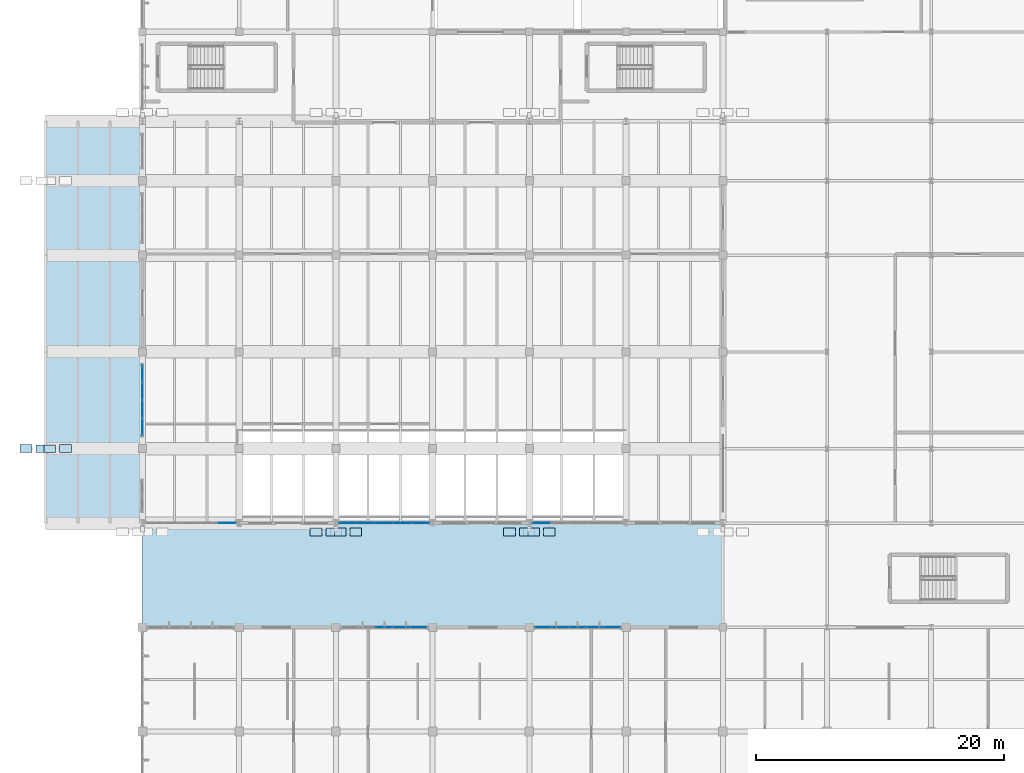
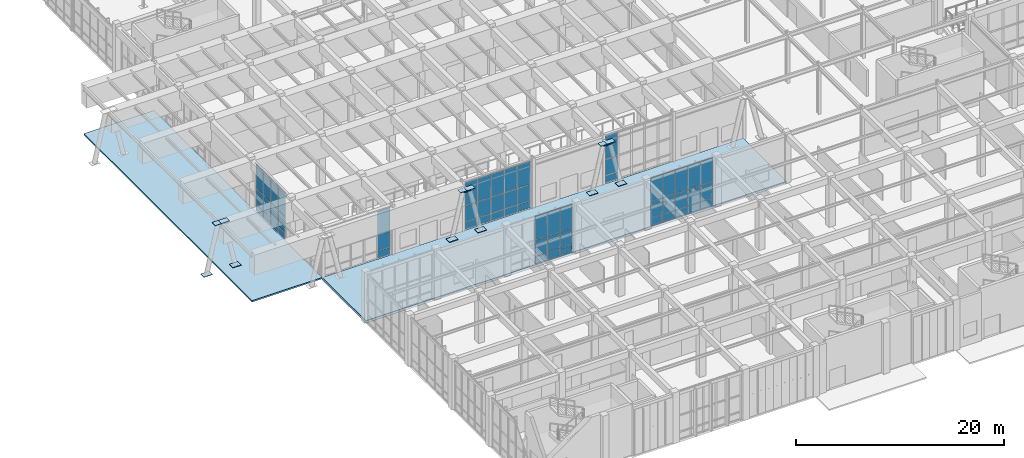
# One storey, part 59 of 110: 71 plates, 2 slabs, 6 elements without a shape of their own.
"""IFC4 building model written with IfcOpenShell, lengths in metres."""

import ifcopenshell
import ifcopenshell.guid

model = None  # the IFC model being written
_history = None  # IfcOwnerHistory: only IFC2X3 demands one
_inside = {}  # id of a spatial element -> (the spatial element, [elements in it])
_under = {}  # id of a project, library or spatial element -> (it, [spatial elements below it])
_declared = {}  # id of a project -> (the project, [libraries it declares])
_typed = {}  # id of a type object -> (the type object, [elements of that type])
_made_of = {}  # id of a material, layer set ... -> (it, [elements and type objects made of it])


def new_model(schema):
    """Start an empty IFC model of exactly this schema.

    Asked for "IFC4X3", IfcOpenShell would pick the latest addendum, in which some entities
    have other attributes; the version numbers below select the first issue.
    IFC2X3 requires an IfcOwnerHistory on every rooted entity: one is made here for all.
    """
    global model, _history
    if schema == "IFC4X3":
        model = ifcopenshell.file(schema_version=(4, 3, 0, 0))
    else:
        model = ifcopenshell.file(schema=schema)
    _inside.clear()
    _under.clear()
    _declared.clear()
    _typed.clear()
    _made_of.clear()
    _history = None
    if model.schema == "IFC2X3":
        org = make("IfcOrganization", Name="unknown")
        user = make(
            "IfcPersonAndOrganization",
            ThePerson=make("IfcPerson", FamilyName="unknown"),
            TheOrganization=org,
        )
        app = make(
            "IfcApplication",
            ApplicationDeveloper=org,
            Version="unknown",
            ApplicationFullName="unknown",
            ApplicationIdentifier="unknown",
        )
        _history = make(
            "IfcOwnerHistory",
            OwningUser=user,
            OwningApplication=app,
            ChangeAction="ADDED",
            CreationDate=0,
        )
    return model


def make(cls, **values):
    """One entity of the class cls with the attributes given. An attribute that is None is left unset."""
    return model.create_entity(
        cls, **{name: value for name, value in values.items() if value is not None}
    )


def rooted(cls, **values):
    """An entity with a GlobalId (a new one), such as an element, a storey or a relation."""
    return make(cls, GlobalId=ifcopenshell.guid.new(), OwnerHistory=_history, **values)


def si_unit(unit_type, name, prefix=None):
    """IfcSIUnit, for example si_unit("LENGTHUNIT", "METRE", prefix="MILLI")."""
    return make("IfcSIUnit", UnitType=unit_type, Prefix=prefix, Name=name)


def assignment(units):
    """IfcUnitAssignment: the units of a project."""
    return None if units is None else make("IfcUnitAssignment", Units=units)


def point(xyz):
    """IfcCartesianPoint."""
    return None if xyz is None else make("IfcCartesianPoint", Coordinates=xyz)


def direction(xyz):
    """IfcDirection."""
    return None if xyz is None else make("IfcDirection", DirectionRatios=xyz)


def frame(location, z_axis=None, x_axis=None):
    """IfcAxis2Placement3D, a coordinate frame: its origin and axes. An axis left out is left unset."""
    return make(
        "IfcAxis2Placement3D",
        Location=point(location),
        Axis=direction(z_axis),
        RefDirection=direction(x_axis),
    )


def frame_2d(location, x_axis=None):
    """IfcAxis2Placement2D, a coordinate frame in the plane: its origin and x axis."""
    return make(
        "IfcAxis2Placement2D", Location=point(location), RefDirection=direction(x_axis)
    )


def origin():
    """The frame at (0, 0, 0) with its axes left unset."""
    return frame((0.0, 0.0, 0.0))


def origin_2d():
    """The frame at (0, 0) in the plane with its x axis left unset."""
    return frame_2d((0.0, 0.0))


def place(relative_to, where):
    """IfcLocalPlacement: puts the frame where relative to a parent placement (None: the world)."""
    return make(
        "IfcLocalPlacement", PlacementRelTo=relative_to, RelativePlacement=where
    )


def context(
    kind, dimensions, precision=None, world=None, true_north=None, identifier=None
):
    """IfcGeometricRepresentationContext, for example the 3D "Model" context."""
    return make(
        "IfcGeometricRepresentationContext",
        ContextIdentifier=identifier,
        ContextType=kind,
        CoordinateSpaceDimension=dimensions,
        Precision=precision,
        WorldCoordinateSystem=world,
        TrueNorth=true_north,
    )


def subcontext(parent, identifier, kind, view, scale=None):
    """IfcGeometricRepresentationSubContext, for example "Body" below "Model"."""
    return make(
        "IfcGeometricRepresentationSubContext",
        ContextIdentifier=identifier,
        ContextType=kind,
        ParentContext=parent,
        TargetScale=scale,
        TargetView=view,
    )


def project(units=None, contexts=None):
    """IfcProject with its units and contexts."""
    return rooted(
        "IfcProject",
        Name="project",
        RepresentationContexts=contexts,
        UnitsInContext=assignment(units),
    )


def spatial(cls, under=None, at=None, **own):
    """A site, building, storey or space (cls), placed at a placement, below another one or the project."""
    s = rooted(cls, ObjectPlacement=at, **own)
    if under is not None:
        _under.setdefault(under.id(), (under, []))[1].append(s)
    return s


def polyline(points):
    """IfcPolyline through the points."""
    return make("IfcPolyline", Points=[point(p) for p in points])


def profile(cls, at=None, kind="AREA", **sizes):
    """A parametric profile (cls). Its sizes go by their IFC names, for example OverallWidth=200.0."""
    return make(cls, ProfileType=kind, Position=at, **sizes)


def rectangle(**sizes):
    """IfcRectangleProfileDef."""
    return profile("IfcRectangleProfileDef", **sizes)


def outline(outer, holes=None, kind="AREA"):
    """IfcArbitraryClosedProfileDef: a profile drawn as a closed curve; with holes, ...WithVoids."""
    if holes is None:
        return make("IfcArbitraryClosedProfileDef", ProfileType=kind, OuterCurve=outer)
    return make(
        "IfcArbitraryProfileDefWithVoids",
        ProfileType=kind,
        OuterCurve=outer,
        InnerCurves=holes,
    )


def extrude(swept, where, along, depth):
    """IfcExtrudedAreaSolid: the profile swept, set in the frame where, extruded along a direction by depth."""
    return make(
        "IfcExtrudedAreaSolid",
        SweptArea=swept,
        Position=where,
        ExtrudedDirection=direction(along),
        Depth=depth,
    )


def shape(context_of_items, identifier, shape_type, items):
    """IfcShapeRepresentation: the items that make up one representation, for example the "Body"."""
    return make(
        "IfcShapeRepresentation",
        ContextOfItems=context_of_items,
        RepresentationIdentifier=identifier,
        RepresentationType=shape_type,
        Items=items,
    )


def material(Name=None, Category=None):
    """IfcMaterial."""
    return make("IfcMaterial", Name=Name, Category=Category)


def layer(
    of_material, thickness, ventilated=None, Name=None, Category=None, Priority=None
):
    """IfcMaterialLayer: one layer of a wall or slab, of a material (None: an air gap)."""
    return make(
        "IfcMaterialLayer",
        Material=of_material,
        LayerThickness=thickness,
        IsVentilated=ventilated,
        Name=Name,
        Category=Category,
        Priority=Priority,
    )


def layer_set(layers, Name=None):
    """IfcMaterialLayerSet."""
    return make("IfcMaterialLayerSet", MaterialLayers=layers, LayerSetName=Name)


def made_of(thing, what):
    """Note that an element or type object is made of a material, layer set ...; save() writes the relation."""
    if what is not None:
        _made_of.setdefault(what.id(), (what, []))[1].append(thing)
    return thing


def type_object(cls, material=None, **own):
    """A type object (cls), such as IfcWallType, which elements share."""
    return made_of(rooted(cls, **own), material)


def element(
    cls,
    number,
    at=None,
    inside=None,
    cuts=None,
    type_object=None,
    material=None,
    context=None,
    identifier="Body",
    shape_type=None,
    held_by="IfcProductDefinitionShape",
    body=None,
    shapes=None,
    **own,
):
    """One element of the class cls, such as IfcWall. Its Tag is "e" and its number.

    at: its placement. inside: the storey or other place that contains it. cuts: it is an
    opening in that element (IfcRelVoidsElement). A single representation is given by context,
    identifier, shape_type and body (its items); several are given by shapes. held_by: the class
    of the entity that holds the representations. save() writes the other relations.
    """
    e = rooted(cls, Tag="e%d" % number, ObjectPlacement=at, **own)
    if body is not None:
        shapes = [shape(context, identifier, shape_type, body)]
    if shapes is not None:
        e.Representation = make(held_by, Representations=shapes)
    if inside is not None:
        _inside.setdefault(inside.id(), (inside, []))[1].append(e)
    if cuts is not None:
        rooted(
            "IfcRelVoidsElement", RelatingBuildingElement=cuts, RelatedOpeningElement=e
        )
    if type_object is not None:
        _typed.setdefault(type_object.id(), (type_object, []))[1].append(e)
    return made_of(e, material)


def aggregate(whole, parts):
    """IfcRelAggregates: a whole, such as a stair, and the parts it consists of."""
    return rooted("IfcRelAggregates", RelatingObject=whole, RelatedObjects=parts)


def save(model, path):
    """Write the relations noted so far, then the file.

    IfcRelAggregates (storeys below a building ...), IfcRelContainedInSpatialStructure (elements
    in a storey), IfcRelDefinesByType, IfcRelAssociatesMaterial and IfcRelDeclares: one each for
    every whole, place, type object, material and project.
    """
    for whole, parts in _under.values():
        aggregate(whole, parts)
    for where, things in _inside.values():
        rooted(
            "IfcRelContainedInSpatialStructure",
            RelatedElements=things,
            RelatingStructure=where,
        )
    for kind, things in _typed.values():
        rooted("IfcRelDefinesByType", RelatedObjects=things, RelatingType=kind)
    for what, things in _made_of.values():
        rooted("IfcRelAssociatesMaterial", RelatedObjects=things, RelatingMaterial=what)
    for by, libraries in _declared.values():
        rooted("IfcRelDeclares", RelatingContext=by, RelatedDefinitions=libraries)
    model.write(path)


model = new_model("IFC4")

# Units and contexts
model_context = context("Model", 3, precision=1e-05, world=origin(), true_north=direction((0.0, 1.0)))
body_context = subcontext(model_context, "Body", "Model", "MODEL_VIEW")
ifc_project = project(units=[si_unit("LENGTHUNIT", "METRE"), si_unit("AREAUNIT", "SQUARE_METRE"), si_unit("VOLUMEUNIT", "CUBIC_METRE"), si_unit("PLANEANGLEUNIT", "RADIAN"), si_unit("MASSUNIT", "GRAM", prefix="KILO")], contexts=[model_context])

# Site, building, storey
site_placement = place(None, origin())
site = spatial("IfcSite", under=ifc_project, at=site_placement, CompositionType="ELEMENT")
building_placement = place(site_placement, origin())
building = spatial("IfcBuilding", under=site, at=building_placement, Name="Tizgana Railside Sports Hall", CompositionType="ELEMENT")
storey_placement = place(building_placement, origin())
storey = spatial("IfcBuildingStorey", under=building, at=storey_placement, Name="L00", CompositionType="ELEMENT", Elevation=0.0)

# Curtain wall, plates
ifc_material_1 = material(Name="Anodised aluminium and glass", Category="aluminium")
curtain_wall_type_1 = type_object("IfcCurtainWallType", Name="Unitised Curtain Wall Foyer 1300", PredefinedType="NOTDEFINED", material=ifc_material_1)
curtain_wall_1_placement = place(storey_placement, origin())
curtain_wall_1 = element("IfcCurtainWall", 1, at=curtain_wall_1_placement, inside=storey, type_object=curtain_wall_type_1, Name="L00 Curtain Wall CW-0001", PredefinedType="NOTDEFINED")
ifc_material_2 = material(Name="Double low-E laminated glass", Category="glass")
ifc_layer_1 = layer(ifc_material_2, 0.033935546875, Name="Double low-E laminated glass")
ifc_layer_set_1 = layer_set([ifc_layer_1], Name="Double low-E laminated glass")
plate_type_1 = type_object("IfcPlateType", Name="Acoustic Laminated Glazing Panel 34", PredefinedType="CURTAIN_PANEL", material=ifc_layer_set_1)
plate_1_placement = place(storey_placement, frame((14.64111328125, 40.800048828125, 0.10498046875), z_axis=(0.0, 0.0, 1.0), x_axis=(-1.0, 0.0, 0.0)))
plate_1 = element("IfcPlate", 2, at=plate_1_placement, type_object=plate_type_1, Name="CW-02 panel 1.1", PredefinedType="CURTAIN_PANEL", context=body_context, shape_type="SweptSolid", body=[
    extrude(rectangle(XDim=1.387939453125, YDim=0.033935546875, at=origin_2d()), origin(), (0.0, 0.0, 1.0), 0.81005859375),
])
plate_2_placement = place(storey_placement, frame((14.64111328125, 40.800048828125, 0.97509765625), z_axis=(0.0, 0.0, 1.0), x_axis=(-1.0, 0.0, 0.0)))
plate_2 = element("IfcPlate", 3, at=plate_2_placement, type_object=plate_type_1, Name="CW-02 panel 1.2", PredefinedType="CURTAIN_PANEL", context=body_context, shape_type="SweptSolid", body=[
    extrude(rectangle(XDim=1.387939453125, YDim=0.033935546875, at=origin_2d()), origin(), (0.0, 0.0, 1.0), 1.842529296875),
])
plate_3_placement = place(storey_placement, frame((14.64111328125, 40.800048828125, 2.87744140625), z_axis=(0.0, 0.0, 1.0), x_axis=(-1.0, 0.0, 0.0)))
plate_3 = element("IfcPlate", 4, at=plate_3_placement, type_object=plate_type_1, Name="CW-02 panel 1.3", PredefinedType="CURTAIN_PANEL", context=body_context, shape_type="SweptSolid", body=[
    extrude(rectangle(XDim=1.387939453125, YDim=0.033935546875, at=origin_2d()), origin(), (0.0, 0.0, 1.0), 2.71240234375),
])
aggregate(curtain_wall_1, [plate_1, plate_2, plate_3])

curtain_wall_type_2 = type_object("IfcCurtainWallType", Name="Unitised Curtain Wall Passage 1800", PredefinedType="NOTDEFINED", material=ifc_material_1)
curtain_wall_2_placement = place(storey_placement, origin())
curtain_wall_2 = element("IfcCurtainWall", 5, at=curtain_wall_2_placement, inside=storey, type_object=curtain_wall_type_2, Name="L00 Curtain Wall CW-0005", PredefinedType="NOTDEFINED")
plate_4_placement = place(storey_placement, frame((7.800048828125, 52.856201171875, 0.10009765625), z_axis=(0.0, 0.0, 1.0), x_axis=(0.0, -1.0, 0.0)))
plate_4 = element("IfcPlate", 6, at=plate_4_placement, type_object=plate_type_1, Name="CW-06 panel 1.1", PredefinedType="CURTAIN_PANEL", context=body_context, shape_type="SweptSolid", body=[
    extrude(rectangle(XDim=1.33740234375, YDim=0.033935546875, at=origin_2d()), origin(), (0.0, 0.0, 1.0), 0.8173828125),
])
plate_5_placement = place(storey_placement, frame((7.800048828125, 52.856201171875, 0.97265625), z_axis=(0.0, 0.0, 1.0), x_axis=(0.0, -1.0, 0.0)))
plate_5 = element("IfcPlate", 7, at=plate_5_placement, type_object=plate_type_1, Name="CW-06 panel 1.2", PredefinedType="CURTAIN_PANEL", context=body_context, shape_type="SweptSolid", body=[
    extrude(rectangle(XDim=1.33740234375, YDim=0.033935546875, at=origin_2d()), origin(), (0.0, 0.0, 1.0), 1.847412109375),
])
plate_6_placement = place(storey_placement, frame((7.800048828125, 52.856201171875, 2.875), z_axis=(0.0, 0.0, 1.0), x_axis=(0.0, -1.0, 0.0)))
plate_6 = element("IfcPlate", 8, at=plate_6_placement, type_object=plate_type_1, Name="CW-06 panel 1.3", PredefinedType="CURTAIN_PANEL", context=body_context, shape_type="SweptSolid", body=[
    extrude(rectangle(XDim=1.33740234375, YDim=0.033935546875, at=origin_2d()), origin(), (0.0, 0.0, 1.0), 2.719970703125),
])
plate_7_placement = place(storey_placement, frame((7.800048828125, 51.425048828125, 0.10009765625), z_axis=(0.0, 0.0, 1.0), x_axis=(0.0, -1.0, 0.0)))
plate_7 = element("IfcPlate", 9, at=plate_7_placement, type_object=plate_type_1, Name="CW-06 panel 2.1", PredefinedType="CURTAIN_PANEL", context=body_context, shape_type="SweptSolid", body=[
    extrude(rectangle(XDim=1.375, YDim=0.033935546875, at=origin_2d()), origin(), (0.0, 0.0, 1.0), 0.8173828125),
])
plate_8_placement = place(storey_placement, frame((7.800048828125, 51.425048828125, 0.97265625), z_axis=(0.0, 0.0, 1.0), x_axis=(0.0, -1.0, 0.0)))
plate_8 = element("IfcPlate", 10, at=plate_8_placement, type_object=plate_type_1, Name="CW-06 panel 2.2", PredefinedType="CURTAIN_PANEL", context=body_context, shape_type="SweptSolid", body=[
    extrude(rectangle(XDim=1.375, YDim=0.033935546875, at=origin_2d()), origin(), (0.0, 0.0, 1.0), 1.847412109375),
])
plate_9_placement = place(storey_placement, frame((7.800048828125, 51.425048828125, 2.875), z_axis=(0.0, 0.0, 1.0), x_axis=(0.0, -1.0, 0.0)))
plate_9 = element("IfcPlate", 11, at=plate_9_placement, type_object=plate_type_1, Name="CW-06 panel 2.3", PredefinedType="CURTAIN_PANEL", context=body_context, shape_type="SweptSolid", body=[
    extrude(rectangle(XDim=1.375, YDim=0.033935546875, at=origin_2d()), origin(), (0.0, 0.0, 1.0), 2.719970703125),
])
plate_10_placement = place(storey_placement, frame((7.800048828125, 49.97509765625, 0.10009765625), z_axis=(0.0, 0.0, 1.0), x_axis=(0.0, -1.0, 0.0)))
plate_10 = element("IfcPlate", 12, at=plate_10_placement, type_object=plate_type_1, Name="CW-06 panel 3.1", PredefinedType="CURTAIN_PANEL", context=body_context, shape_type="SweptSolid", body=[
    extrude(rectangle(XDim=1.375, YDim=0.033935546875, at=origin_2d()), origin(), (0.0, 0.0, 1.0), 0.8173828125),
])
plate_11_placement = place(storey_placement, frame((7.800048828125, 49.97509765625, 0.97265625), z_axis=(0.0, 0.0, 1.0), x_axis=(0.0, -1.0, 0.0)))
plate_11 = element("IfcPlate", 13, at=plate_11_placement, type_object=plate_type_1, Name="CW-06 panel 3.2", PredefinedType="CURTAIN_PANEL", context=body_context, shape_type="SweptSolid", body=[
    extrude(rectangle(XDim=1.375, YDim=0.033935546875, at=origin_2d()), origin(), (0.0, 0.0, 1.0), 1.847412109375),
])
plate_12_placement = place(storey_placement, frame((7.800048828125, 49.97509765625, 2.875), z_axis=(0.0, 0.0, 1.0), x_axis=(0.0, -1.0, 0.0)))
plate_12 = element("IfcPlate", 14, at=plate_12_placement, type_object=plate_type_1, Name="CW-06 panel 3.3", PredefinedType="CURTAIN_PANEL", context=body_context, shape_type="SweptSolid", body=[
    extrude(rectangle(XDim=1.375, YDim=0.033935546875, at=origin_2d()), origin(), (0.0, 0.0, 1.0), 2.719970703125),
])
plate_13_placement = place(storey_placement, frame((7.800048828125, 48.543701171875, 0.10009765625), z_axis=(0.0, 0.0, 1.0), x_axis=(0.0, -1.0, 0.0)))
plate_13 = element("IfcPlate", 15, at=plate_13_placement, type_object=plate_type_1, Name="CW-06 panel 4.1", PredefinedType="CURTAIN_PANEL", context=body_context, shape_type="SweptSolid", body=[
    extrude(rectangle(XDim=1.33740234375, YDim=0.033935546875, at=origin_2d()), origin(), (0.0, 0.0, 1.0), 0.8173828125),
])
plate_14_placement = place(storey_placement, frame((7.800048828125, 48.543701171875, 0.97265625), z_axis=(0.0, 0.0, 1.0), x_axis=(0.0, -1.0, 0.0)))
plate_14 = element("IfcPlate", 16, at=plate_14_placement, type_object=plate_type_1, Name="CW-06 panel 4.2", PredefinedType="CURTAIN_PANEL", context=body_context, shape_type="SweptSolid", body=[
    extrude(rectangle(XDim=1.33740234375, YDim=0.033935546875, at=origin_2d()), origin(), (0.0, 0.0, 1.0), 1.847412109375),
])
plate_15_placement = place(storey_placement, frame((7.800048828125, 48.543701171875, 2.875), z_axis=(0.0, 0.0, 1.0), x_axis=(0.0, -1.0, 0.0)))
plate_15 = element("IfcPlate", 17, at=plate_15_placement, type_object=plate_type_1, Name="CW-06 panel 4.3", PredefinedType="CURTAIN_PANEL", context=body_context, shape_type="SweptSolid", body=[
    extrude(rectangle(XDim=1.33740234375, YDim=0.033935546875, at=origin_2d()), origin(), (0.0, 0.0, 1.0), 2.719970703125),
])
aggregate(curtain_wall_2, [plate_4, plate_5, plate_6, plate_7, plate_8, plate_9, plate_10, plate_11, plate_12, plate_13, plate_14, plate_15])

# Slabs
ifc_material_3 = material(Name="Concrete C35/45", Category="concrete")
ifc_layer_2 = layer(ifc_material_3, 0.169921875, Name="Concrete C35/45")
ifc_layer_set_2 = layer_set([ifc_layer_2], Name="Concrete C35/45")
slab_type_1 = type_object("IfcSlabType", Name="Entrance Canopy & Apron Deck 170", PredefinedType="FLOOR", material=ifc_layer_set_2)
slab_1_placement = place(storey_placement, frame((0.0, 0.0, -0.169921875)))
element("IfcSlab", 18, at=slab_1_placement, inside=storey, type_object=slab_type_1, Name="L00 West Overhang Plaza APR-0001", PredefinedType="FLOOR", context=body_context, shape_type="SweptSolid", body=[
    extrude(outline(polyline([(0.0, 40.800048828125), (7.800048828125, 40.800048828125), (7.800048828125, 73.199951171875), (0.0, 73.199951171875), (0.0, 40.800048828125)])), origin(), (0.0, 0.0, 1.0), 0.169921875),
])
ifc_layer_3 = layer(ifc_material_3, 0.2900390625, Name="Concrete C35/45")
ifc_layer_set_3 = layer_set([ifc_layer_3], Name="Concrete C35/45")
slab_type_2 = type_object("IfcSlabType", Name="Ground Bearing Wing Slab 290", PredefinedType="BASESLAB", material=ifc_layer_set_3)
slab_2_placement = place(storey_placement, frame((0.0, 0.0, -0.2900390625)))
element("IfcSlab", 19, at=slab_2_placement, inside=storey, type_object=slab_type_2, Name="L00 South-West Courtyard Plaza SLB-0021", PredefinedType="BASESLAB", context=body_context, shape_type="SweptSolid", body=[
    extrude(outline(polyline([(7.800048828125, 32.39990234375), (54.60009765625, 32.39990234375), (54.60009765625, 40.800048828125), (7.800048828125, 40.800048828125), (7.800048828125, 32.39990234375)])), origin(), (0.0, 0.0, 1.0), 0.2900390625),
])

# Curtain wall, plates
curtain_wall_type_3 = type_object("IfcCurtainWallType", Name="Unitised Curtain Wall Studio 1400", PredefinedType="NOTDEFINED", material=ifc_material_1)
curtain_wall_3_placement = place(storey_placement, origin())
curtain_wall_3 = element("IfcCurtainWall", 20, at=curtain_wall_3_placement, inside=storey, type_object=curtain_wall_type_3, Name="L00 Curtain Wall CW-0002", PredefinedType="NOTDEFINED")
ifc_layer_4 = layer(ifc_material_2, 0.0400390625, Name="Double low-E laminated glass")
ifc_layer_set_4 = layer_set([ifc_layer_4], Name="Double low-E laminated glass")
plate_type_2 = type_object("IfcPlateType", Name="High-Span Tempered Glazing Panel 40", PredefinedType="CURTAIN_PANEL", material=ifc_layer_set_4)
plate_16_placement = place(storey_placement, frame((30.240966796875, 40.800048828125, 0.10498046875), z_axis=(0.0, 0.0, 1.0), x_axis=(-1.0, 0.0, 0.0)))
plate_16 = element("IfcPlate", 21, at=plate_16_placement, type_object=plate_type_2, Name="CW-03 panel 1.1", PredefinedType="CURTAIN_PANEL", context=body_context, shape_type="SweptSolid", body=[
    extrude(rectangle(XDim=1.387939453125, YDim=0.0400390625, at=origin_2d()), origin(), (0.0, 0.0, 1.0), 0.81005859375),
])
plate_17_placement = place(storey_placement, frame((30.240966796875, 40.800048828125, 0.97509765625), z_axis=(0.0, 0.0, 1.0), x_axis=(-1.0, 0.0, 0.0)))
plate_17 = element("IfcPlate", 22, at=plate_17_placement, type_object=plate_type_2, Name="CW-03 panel 1.2", PredefinedType="CURTAIN_PANEL", context=body_context, shape_type="SweptSolid", body=[
    extrude(rectangle(XDim=1.387939453125, YDim=0.0400390625, at=origin_2d()), origin(), (0.0, 0.0, 1.0), 1.842529296875),
])
plate_18_placement = place(storey_placement, frame((30.240966796875, 40.800048828125, 2.87744140625), z_axis=(0.0, 0.0, 1.0), x_axis=(-1.0, 0.0, 0.0)))
plate_18 = element("IfcPlate", 23, at=plate_18_placement, type_object=plate_type_2, Name="CW-03 panel 1.3", PredefinedType="CURTAIN_PANEL", context=body_context, shape_type="SweptSolid", body=[
    extrude(rectangle(XDim=1.387939453125, YDim=0.0400390625, at=origin_2d()), origin(), (0.0, 0.0, 1.0), 2.71240234375),
])
plate_19_placement = place(storey_placement, frame((28.778076171875, 40.800048828125, 0.10498046875), z_axis=(0.0, 0.0, 1.0), x_axis=(-1.0, 0.0, 0.0)))
plate_19 = element("IfcPlate", 24, at=plate_19_placement, type_object=plate_type_2, Name="CW-03 panel 2.1", PredefinedType="CURTAIN_PANEL", context=body_context, shape_type="SweptSolid", body=[
    extrude(rectangle(XDim=1.41796875, YDim=0.0400390625, at=origin_2d()), origin(), (0.0, 0.0, 1.0), 0.81005859375),
])
plate_20_placement = place(storey_placement, frame((28.778076171875, 40.800048828125, 0.97509765625), z_axis=(0.0, 0.0, 1.0), x_axis=(-1.0, 0.0, 0.0)))
plate_20 = element("IfcPlate", 25, at=plate_20_placement, type_object=plate_type_2, Name="CW-03 panel 2.2", PredefinedType="CURTAIN_PANEL", context=body_context, shape_type="SweptSolid", body=[
    extrude(rectangle(XDim=1.41796875, YDim=0.0400390625, at=origin_2d()), origin(), (0.0, 0.0, 1.0), 1.842529296875),
])
plate_21_placement = place(storey_placement, frame((28.778076171875, 40.800048828125, 2.87744140625), z_axis=(0.0, 0.0, 1.0), x_axis=(-1.0, 0.0, 0.0)))
plate_21 = element("IfcPlate", 26, at=plate_21_placement, type_object=plate_type_2, Name="CW-03 panel 2.3", PredefinedType="CURTAIN_PANEL", context=body_context, shape_type="SweptSolid", body=[
    extrude(rectangle(XDim=1.41796875, YDim=0.0400390625, at=origin_2d()), origin(), (0.0, 0.0, 1.0), 2.71240234375),
])
plate_22_placement = place(storey_placement, frame((27.300048828125, 40.800048828125, 0.10498046875), z_axis=(0.0, 0.0, 1.0), x_axis=(-1.0, 0.0, 0.0)))
plate_22 = element("IfcPlate", 27, at=plate_22_placement, type_object=plate_type_2, Name="CW-03 panel 3.1", PredefinedType="CURTAIN_PANEL", context=body_context, shape_type="SweptSolid", body=[
    extrude(rectangle(XDim=1.41796875, YDim=0.0400390625, at=origin_2d()), origin(), (0.0, 0.0, 1.0), 0.81005859375),
])
plate_23_placement = place(storey_placement, frame((27.300048828125, 40.800048828125, 0.97509765625), z_axis=(0.0, 0.0, 1.0), x_axis=(-1.0, 0.0, 0.0)))
plate_23 = element("IfcPlate", 28, at=plate_23_placement, type_object=plate_type_2, Name="CW-03 panel 3.2", PredefinedType="CURTAIN_PANEL", context=body_context, shape_type="SweptSolid", body=[
    extrude(rectangle(XDim=1.41796875, YDim=0.0400390625, at=origin_2d()), origin(), (0.0, 0.0, 1.0), 1.842529296875),
])
plate_24_placement = place(storey_placement, frame((27.300048828125, 40.800048828125, 2.87744140625), z_axis=(0.0, 0.0, 1.0), x_axis=(-1.0, 0.0, 0.0)))
plate_24 = element("IfcPlate", 29, at=plate_24_placement, type_object=plate_type_2, Name="CW-03 panel 3.3", PredefinedType="CURTAIN_PANEL", context=body_context, shape_type="SweptSolid", body=[
    extrude(rectangle(XDim=1.41796875, YDim=0.0400390625, at=origin_2d()), origin(), (0.0, 0.0, 1.0), 2.71240234375),
])
plate_25_placement = place(storey_placement, frame((25.822021484375, 40.800048828125, 0.10498046875), z_axis=(0.0, 0.0, 1.0), x_axis=(-1.0, 0.0, 0.0)))
plate_25 = element("IfcPlate", 30, at=plate_25_placement, type_object=plate_type_2, Name="CW-03 panel 4.1", PredefinedType="CURTAIN_PANEL", context=body_context, shape_type="SweptSolid", body=[
    extrude(rectangle(XDim=1.41796875, YDim=0.0400390625, at=origin_2d()), origin(), (0.0, 0.0, 1.0), 0.81005859375),
])
plate_26_placement = place(storey_placement, frame((25.822021484375, 40.800048828125, 0.97509765625), z_axis=(0.0, 0.0, 1.0), x_axis=(-1.0, 0.0, 0.0)))
plate_26 = element("IfcPlate", 31, at=plate_26_placement, type_object=plate_type_2, Name="CW-03 panel 4.2", PredefinedType="CURTAIN_PANEL", context=body_context, shape_type="SweptSolid", body=[
    extrude(rectangle(XDim=1.41796875, YDim=0.0400390625, at=origin_2d()), origin(), (0.0, 0.0, 1.0), 1.842529296875),
])
plate_27_placement = place(storey_placement, frame((25.822021484375, 40.800048828125, 2.87744140625), z_axis=(0.0, 0.0, 1.0), x_axis=(-1.0, 0.0, 0.0)))
plate_27 = element("IfcPlate", 32, at=plate_27_placement, type_object=plate_type_2, Name="CW-03 panel 4.3", PredefinedType="CURTAIN_PANEL", context=body_context, shape_type="SweptSolid", body=[
    extrude(rectangle(XDim=1.41796875, YDim=0.0400390625, at=origin_2d()), origin(), (0.0, 0.0, 1.0), 2.71240234375),
])
plate_28_placement = place(storey_placement, frame((24.35888671875, 40.800048828125, 0.10498046875), z_axis=(0.0, 0.0, 1.0), x_axis=(-1.0, 0.0, 0.0)))
plate_28 = element("IfcPlate", 33, at=plate_28_placement, type_object=plate_type_2, Name="CW-03 panel 5.1", PredefinedType="CURTAIN_PANEL", context=body_context, shape_type="SweptSolid", body=[
    extrude(rectangle(XDim=1.387939453125, YDim=0.0400390625, at=origin_2d()), origin(), (0.0, 0.0, 1.0), 0.81005859375),
])
plate_29_placement = place(storey_placement, frame((24.35888671875, 40.800048828125, 0.97509765625), z_axis=(0.0, 0.0, 1.0), x_axis=(-1.0, 0.0, 0.0)))
plate_29 = element("IfcPlate", 34, at=plate_29_placement, type_object=plate_type_2, Name="CW-03 panel 5.2", PredefinedType="CURTAIN_PANEL", context=body_context, shape_type="SweptSolid", body=[
    extrude(rectangle(XDim=1.387939453125, YDim=0.0400390625, at=origin_2d()), origin(), (0.0, 0.0, 1.0), 1.842529296875),
])
plate_30_placement = place(storey_placement, frame((24.35888671875, 40.800048828125, 2.87744140625), z_axis=(0.0, 0.0, 1.0), x_axis=(-1.0, 0.0, 0.0)))
plate_30 = element("IfcPlate", 35, at=plate_30_placement, type_object=plate_type_2, Name="CW-03 panel 5.3", PredefinedType="CURTAIN_PANEL", context=body_context, shape_type="SweptSolid", body=[
    extrude(rectangle(XDim=1.387939453125, YDim=0.0400390625, at=origin_2d()), origin(), (0.0, 0.0, 1.0), 2.71240234375),
])
aggregate(curtain_wall_3, [plate_16, plate_17, plate_18, plate_19, plate_20, plate_21, plate_22, plate_23, plate_24, plate_25, plate_26, plate_27, plate_28, plate_29, plate_30])

curtain_wall_type_4 = type_object("IfcCurtainWallType", Name="Unitised Curtain Wall Climbing 1600", PredefinedType="NOTDEFINED", material=ifc_material_1)
curtain_wall_4_placement = place(storey_placement, origin())
curtain_wall_4 = element("IfcCurtainWall", 36, at=curtain_wall_4_placement, inside=storey, type_object=curtain_wall_type_4, Name="L00 Curtain Wall CW-0003", PredefinedType="NOTDEFINED")
ifc_layer_5 = layer(ifc_material_2, 0.031982421875, Name="Double low-E laminated glass")
ifc_layer_set_5 = layer_set([ifc_layer_5], Name="Double low-E laminated glass")
plate_type_3 = type_object("IfcPlateType", Name="North-Light Clerestory Glazing Panel 32", PredefinedType="CURTAIN_PANEL", material=ifc_layer_set_5)
plate_31_placement = place(storey_placement, frame((39.960205078125, 40.800048828125, 0.10986328125), z_axis=(0.0, 0.0, 1.0), x_axis=(-1.0, 0.0, 0.0)))
plate_31 = element("IfcPlate", 37, at=plate_31_placement, type_object=plate_type_3, Name="CW-04 panel 5.1", PredefinedType="CURTAIN_PANEL", context=body_context, shape_type="SweptSolid", body=[
    extrude(rectangle(XDim=1.380615234375, YDim=0.031982421875, at=origin_2d()), origin(), (0.0, 0.0, 1.0), 0.802490234375),
])
plate_32_placement = place(storey_placement, frame((39.960205078125, 40.800048828125, 0.9775390625), z_axis=(0.0, 0.0, 1.0), x_axis=(-1.0, 0.0, 0.0)))
plate_32 = element("IfcPlate", 38, at=plate_32_placement, type_object=plate_type_3, Name="CW-04 panel 5.2", PredefinedType="CURTAIN_PANEL", context=body_context, shape_type="SweptSolid", body=[
    extrude(rectangle(XDim=1.380615234375, YDim=0.031982421875, at=origin_2d()), origin(), (0.0, 0.0, 1.0), 1.83740234375),
])
plate_33_placement = place(storey_placement, frame((39.960205078125, 40.800048828125, 2.8798828125), z_axis=(0.0, 0.0, 1.0), x_axis=(-1.0, 0.0, 0.0)))
plate_33 = element("IfcPlate", 39, at=plate_33_placement, type_object=plate_type_3, Name="CW-04 panel 5.3", PredefinedType="CURTAIN_PANEL", context=body_context, shape_type="SweptSolid", body=[
    extrude(rectangle(XDim=1.380615234375, YDim=0.031982421875, at=origin_2d()), origin(), (0.0, 0.0, 1.0), 2.705078125),
])
aggregate(curtain_wall_4, [plate_31, plate_32, plate_33])

curtain_wall_type_5 = type_object("IfcCurtainWallType", Name="Unitised Curtain Wall EastHall 1500", PredefinedType="NOTDEFINED", material=ifc_material_1)
curtain_wall_5_placement = place(storey_placement, origin())
curtain_wall_5 = element("IfcCurtainWall", 40, at=curtain_wall_5_placement, inside=storey, type_object=curtain_wall_type_5, Name="L00 Curtain Wall CW-0079", PredefinedType="NOTDEFINED")
plate_34_placement = place(storey_placement, frame((27.300048828125, 32.39990234375, 0.10498046875), z_axis=(0.0, 0.0, 1.0), x_axis=(1.0, 0.0, 0.0)))
plate_34 = element("IfcPlate", 41, at=plate_34_placement, type_object=plate_type_3, Name="CW-08 panel 3.1", PredefinedType="CURTAIN_PANEL", context=body_context, shape_type="SweptSolid", body=[
    extrude(rectangle(XDim=1.337890625, YDim=0.031982421875, at=origin_2d()), origin(), (0.0, 0.0, 1.0), 0.81005859375),
])
plate_35_placement = place(storey_placement, frame((27.300048828125, 32.39990234375, 0.974853515625), z_axis=(0.0, 0.0, 1.0), x_axis=(1.0, 0.0, 0.0)))
plate_35 = element("IfcPlate", 42, at=plate_35_placement, type_object=plate_type_3, Name="CW-08 panel 3.2", PredefinedType="CURTAIN_PANEL", context=body_context, shape_type="SweptSolid", body=[
    extrude(rectangle(XDim=1.337890625, YDim=0.031982421875, at=origin_2d()), origin(), (0.0, 0.0, 1.0), 1.892578125),
])
plate_36_placement = place(storey_placement, frame((27.300048828125, 32.39990234375, 2.927734375), z_axis=(0.0, 0.0, 1.0), x_axis=(1.0, 0.0, 0.0)))
plate_36 = element("IfcPlate", 43, at=plate_36_placement, type_object=plate_type_3, Name="CW-08 panel 3.3", PredefinedType="CURTAIN_PANEL", context=body_context, shape_type="SweptSolid", body=[
    extrude(rectangle(XDim=1.337890625, YDim=0.031982421875, at=origin_2d()), origin(), (0.0, 0.0, 1.0), 2.762451171875),
])
plate_37_placement = place(storey_placement, frame((28.697998046875, 32.39990234375, 0.10498046875), z_axis=(0.0, 0.0, 1.0), x_axis=(1.0, 0.0, 0.0)))
plate_37 = element("IfcPlate", 44, at=plate_37_placement, type_object=plate_type_3, Name="CW-08 panel 4.1", PredefinedType="CURTAIN_PANEL", context=body_context, shape_type="SweptSolid", body=[
    extrude(rectangle(XDim=1.337890625, YDim=0.031982421875, at=origin_2d()), origin(), (0.0, 0.0, 1.0), 0.81005859375),
])
plate_38_placement = place(storey_placement, frame((28.697998046875, 32.39990234375, 0.974853515625), z_axis=(0.0, 0.0, 1.0), x_axis=(1.0, 0.0, 0.0)))
plate_38 = element("IfcPlate", 45, at=plate_38_placement, type_object=plate_type_3, Name="CW-08 panel 4.2", PredefinedType="CURTAIN_PANEL", context=body_context, shape_type="SweptSolid", body=[
    extrude(rectangle(XDim=1.337890625, YDim=0.031982421875, at=origin_2d()), origin(), (0.0, 0.0, 1.0), 1.892578125),
])
plate_39_placement = place(storey_placement, frame((28.697998046875, 32.39990234375, 2.927734375), z_axis=(0.0, 0.0, 1.0), x_axis=(1.0, 0.0, 0.0)))
plate_39 = element("IfcPlate", 46, at=plate_39_placement, type_object=plate_type_3, Name="CW-08 panel 4.3", PredefinedType="CURTAIN_PANEL", context=body_context, shape_type="SweptSolid", body=[
    extrude(rectangle(XDim=1.337890625, YDim=0.031982421875, at=origin_2d()), origin(), (0.0, 0.0, 1.0), 2.762451171875),
])
plate_40_placement = place(storey_placement, frame((30.0810546875, 32.39990234375, 0.10498046875), z_axis=(0.0, 0.0, 1.0), x_axis=(1.0, 0.0, 0.0)))
plate_40 = element("IfcPlate", 47, at=plate_40_placement, type_object=plate_type_3, Name="CW-08 panel 5.1", PredefinedType="CURTAIN_PANEL", context=body_context, shape_type="SweptSolid", body=[
    extrude(rectangle(XDim=1.30810546875, YDim=0.031982421875, at=origin_2d()), origin(), (0.0, 0.0, 1.0), 0.81005859375),
])
plate_41_placement = place(storey_placement, frame((30.0810546875, 32.39990234375, 0.974853515625), z_axis=(0.0, 0.0, 1.0), x_axis=(1.0, 0.0, 0.0)))
plate_41 = element("IfcPlate", 48, at=plate_41_placement, type_object=plate_type_3, Name="CW-08 panel 5.2", PredefinedType="CURTAIN_PANEL", context=body_context, shape_type="SweptSolid", body=[
    extrude(rectangle(XDim=1.30810546875, YDim=0.031982421875, at=origin_2d()), origin(), (0.0, 0.0, 1.0), 1.892578125),
])
plate_42_placement = place(storey_placement, frame((30.0810546875, 32.39990234375, 2.927734375), z_axis=(0.0, 0.0, 1.0), x_axis=(1.0, 0.0, 0.0)))
plate_42 = element("IfcPlate", 49, at=plate_42_placement, type_object=plate_type_3, Name="CW-08 panel 5.3", PredefinedType="CURTAIN_PANEL", context=body_context, shape_type="SweptSolid", body=[
    extrude(rectangle(XDim=1.30810546875, YDim=0.031982421875, at=origin_2d()), origin(), (0.0, 0.0, 1.0), 2.762451171875),
])
aggregate(curtain_wall_5, [plate_34, plate_35, plate_36, plate_37, plate_38, plate_39, plate_40, plate_41, plate_42])

curtain_wall_type_6 = type_object("IfcCurtainWallType", Name="Unitised Curtain Wall Concourse 1500", PredefinedType="NOTDEFINED", material=ifc_material_1)
curtain_wall_6_placement = place(storey_placement, origin())
curtain_wall_6 = element("IfcCurtainWall", 50, at=curtain_wall_6_placement, inside=storey, type_object=curtain_wall_type_6, Name="L00 Curtain Wall CW-0080", PredefinedType="NOTDEFINED")
ifc_layer_6 = layer(ifc_material_2, 0.028076171875, Name="Double low-E laminated glass")
ifc_layer_set_6 = layer_set([ifc_layer_6], Name="Double low-E laminated glass")
plate_type_4 = type_object("IfcPlateType", Name="Solar Low-E Glazing Panel 28", PredefinedType="CURTAIN_PANEL", material=ifc_layer_set_6)
plate_43_placement = place(storey_placement, frame((40.118896484375, 32.39990234375, 0.10498046875), z_axis=(0.0, 0.0, 1.0), x_axis=(1.0, 0.0, 0.0)))
plate_43 = element("IfcPlate", 51, at=plate_43_placement, type_object=plate_type_4, Name="CW-01 panel 1.1", PredefinedType="CURTAIN_PANEL", context=body_context, shape_type="SweptSolid", body=[
    extrude(rectangle(XDim=1.30810546875, YDim=0.028076171875, at=origin_2d()), origin(), (0.0, 0.0, 1.0), 0.81005859375),
])
plate_44_placement = place(storey_placement, frame((40.118896484375, 32.39990234375, 0.974853515625), z_axis=(0.0, 0.0, 1.0), x_axis=(1.0, 0.0, 0.0)))
plate_44 = element("IfcPlate", 52, at=plate_44_placement, type_object=plate_type_4, Name="CW-01 panel 1.2", PredefinedType="CURTAIN_PANEL", context=body_context, shape_type="SweptSolid", body=[
    extrude(rectangle(XDim=1.30810546875, YDim=0.028076171875, at=origin_2d()), origin(), (0.0, 0.0, 1.0), 1.892578125),
])
plate_45_placement = place(storey_placement, frame((40.118896484375, 32.39990234375, 2.927734375), z_axis=(0.0, 0.0, 1.0), x_axis=(1.0, 0.0, 0.0)))
plate_45 = element("IfcPlate", 53, at=plate_45_placement, type_object=plate_type_4, Name="CW-01 panel 1.3", PredefinedType="CURTAIN_PANEL", context=body_context, shape_type="SweptSolid", body=[
    extrude(rectangle(XDim=1.30810546875, YDim=0.028076171875, at=origin_2d()), origin(), (0.0, 0.0, 1.0), 2.762451171875),
])
plate_46_placement = place(storey_placement, frame((41.501953125, 32.39990234375, 0.10498046875), z_axis=(0.0, 0.0, 1.0), x_axis=(1.0, 0.0, 0.0)))
plate_46 = element("IfcPlate", 54, at=plate_46_placement, type_object=plate_type_4, Name="CW-01 panel 2.1", PredefinedType="CURTAIN_PANEL", context=body_context, shape_type="SweptSolid", body=[
    extrude(rectangle(XDim=1.337890625, YDim=0.028076171875, at=origin_2d()), origin(), (0.0, 0.0, 1.0), 0.81005859375),
])
plate_47_placement = place(storey_placement, frame((41.501953125, 32.39990234375, 0.974853515625), z_axis=(0.0, 0.0, 1.0), x_axis=(1.0, 0.0, 0.0)))
plate_47 = element("IfcPlate", 55, at=plate_47_placement, type_object=plate_type_4, Name="CW-01 panel 2.2", PredefinedType="CURTAIN_PANEL", context=body_context, shape_type="SweptSolid", body=[
    extrude(rectangle(XDim=1.337890625, YDim=0.028076171875, at=origin_2d()), origin(), (0.0, 0.0, 1.0), 1.892578125),
])
plate_48_placement = place(storey_placement, frame((41.501953125, 32.39990234375, 2.927734375), z_axis=(0.0, 0.0, 1.0), x_axis=(1.0, 0.0, 0.0)))
plate_48 = element("IfcPlate", 56, at=plate_48_placement, type_object=plate_type_4, Name="CW-01 panel 2.3", PredefinedType="CURTAIN_PANEL", context=body_context, shape_type="SweptSolid", body=[
    extrude(rectangle(XDim=1.337890625, YDim=0.028076171875, at=origin_2d()), origin(), (0.0, 0.0, 1.0), 2.762451171875),
])
plate_49_placement = place(storey_placement, frame((42.89990234375, 32.39990234375, 0.10498046875), z_axis=(0.0, 0.0, 1.0), x_axis=(1.0, 0.0, 0.0)))
plate_49 = element("IfcPlate", 57, at=plate_49_placement, type_object=plate_type_4, Name="CW-01 panel 3.1", PredefinedType="CURTAIN_PANEL", context=body_context, shape_type="SweptSolid", body=[
    extrude(rectangle(XDim=1.337890625, YDim=0.028076171875, at=origin_2d()), origin(), (0.0, 0.0, 1.0), 0.81005859375),
])
plate_50_placement = place(storey_placement, frame((42.89990234375, 32.39990234375, 0.974853515625), z_axis=(0.0, 0.0, 1.0), x_axis=(1.0, 0.0, 0.0)))
plate_50 = element("IfcPlate", 58, at=plate_50_placement, type_object=plate_type_4, Name="CW-01 panel 3.2", PredefinedType="CURTAIN_PANEL", context=body_context, shape_type="SweptSolid", body=[
    extrude(rectangle(XDim=1.337890625, YDim=0.028076171875, at=origin_2d()), origin(), (0.0, 0.0, 1.0), 1.892578125),
])
plate_51_placement = place(storey_placement, frame((42.89990234375, 32.39990234375, 2.927734375), z_axis=(0.0, 0.0, 1.0), x_axis=(1.0, 0.0, 0.0)))
plate_51 = element("IfcPlate", 59, at=plate_51_placement, type_object=plate_type_4, Name="CW-01 panel 3.3", PredefinedType="CURTAIN_PANEL", context=body_context, shape_type="SweptSolid", body=[
    extrude(rectangle(XDim=1.337890625, YDim=0.028076171875, at=origin_2d()), origin(), (0.0, 0.0, 1.0), 2.762451171875),
])
plate_52_placement = place(storey_placement, frame((44.298095703125, 32.39990234375, 0.10498046875), z_axis=(0.0, 0.0, 1.0), x_axis=(1.0, 0.0, 0.0)))
plate_52 = element("IfcPlate", 60, at=plate_52_placement, type_object=plate_type_4, Name="CW-01 panel 4.1", PredefinedType="CURTAIN_PANEL", context=body_context, shape_type="SweptSolid", body=[
    extrude(rectangle(XDim=1.337890625, YDim=0.028076171875, at=origin_2d()), origin(), (0.0, 0.0, 1.0), 0.81005859375),
])
plate_53_placement = place(storey_placement, frame((44.298095703125, 32.39990234375, 0.974853515625), z_axis=(0.0, 0.0, 1.0), x_axis=(1.0, 0.0, 0.0)))
plate_53 = element("IfcPlate", 61, at=plate_53_placement, type_object=plate_type_4, Name="CW-01 panel 4.2", PredefinedType="CURTAIN_PANEL", context=body_context, shape_type="SweptSolid", body=[
    extrude(rectangle(XDim=1.337890625, YDim=0.028076171875, at=origin_2d()), origin(), (0.0, 0.0, 1.0), 1.892578125),
])
plate_54_placement = place(storey_placement, frame((44.298095703125, 32.39990234375, 2.927734375), z_axis=(0.0, 0.0, 1.0), x_axis=(1.0, 0.0, 0.0)))
plate_54 = element("IfcPlate", 62, at=plate_54_placement, type_object=plate_type_4, Name="CW-01 panel 4.3", PredefinedType="CURTAIN_PANEL", context=body_context, shape_type="SweptSolid", body=[
    extrude(rectangle(XDim=1.337890625, YDim=0.028076171875, at=origin_2d()), origin(), (0.0, 0.0, 1.0), 2.762451171875),
])
plate_55_placement = place(storey_placement, frame((45.680908203125, 32.39990234375, 0.10498046875), z_axis=(0.0, 0.0, 1.0), x_axis=(1.0, 0.0, 0.0)))
plate_55 = element("IfcPlate", 63, at=plate_55_placement, type_object=plate_type_4, Name="CW-01 panel 5.1", PredefinedType="CURTAIN_PANEL", context=body_context, shape_type="SweptSolid", body=[
    extrude(rectangle(XDim=1.30810546875, YDim=0.028076171875, at=origin_2d()), origin(), (0.0, 0.0, 1.0), 0.81005859375),
])
plate_56_placement = place(storey_placement, frame((45.680908203125, 32.39990234375, 0.974853515625), z_axis=(0.0, 0.0, 1.0), x_axis=(1.0, 0.0, 0.0)))
plate_56 = element("IfcPlate", 64, at=plate_56_placement, type_object=plate_type_4, Name="CW-01 panel 5.2", PredefinedType="CURTAIN_PANEL", context=body_context, shape_type="SweptSolid", body=[
    extrude(rectangle(XDim=1.30810546875, YDim=0.028076171875, at=origin_2d()), origin(), (0.0, 0.0, 1.0), 1.892578125),
])
plate_57_placement = place(storey_placement, frame((45.680908203125, 32.39990234375, 2.927734375), z_axis=(0.0, 0.0, 1.0), x_axis=(1.0, 0.0, 0.0)))
plate_57 = element("IfcPlate", 65, at=plate_57_placement, type_object=plate_type_4, Name="CW-01 panel 5.3", PredefinedType="CURTAIN_PANEL", context=body_context, shape_type="SweptSolid", body=[
    extrude(rectangle(XDim=1.30810546875, YDim=0.028076171875, at=origin_2d()), origin(), (0.0, 0.0, 1.0), 2.762451171875),
])
aggregate(curtain_wall_6, [plate_43, plate_44, plate_45, plate_46, plate_47, plate_48, plate_49, plate_50, plate_51, plate_52, plate_53, plate_54, plate_55, plate_56, plate_57])

# Plates
ifc_material_4 = material(Name="Steel S355J2", Category="steel")
ifc_layer_7 = layer(ifc_material_4, 0.0419921875, Name="Steel S355J2")
ifc_layer_set_7 = layer_set([ifc_layer_7], Name="Steel S355J2")
plate_type_5 = type_object("IfcPlateType", Name="V-Column Apex Node Plate 920x620x42", PredefinedType="USERDEFINED", material=ifc_layer_set_7)
for number, where, z_axis, x_axis, name in (
    (66, (23.06005859375, 40.080078125, 5.35888671875), (0.0, 0.0, 1.0), (1.0, 0.0, 0.0), "L00 V-Leg Apex Cap Plate"),
    (67, (23.739990234375, 40.080078125, 5.35888671875), (0.0, 0.0, 1.0), (1.0, 0.0, 0.0), "L00 V-Leg Apex Cap Plate"),
    (68, (23.39990234375, 40.080078125, 5.22900390625), (0.0, 0.0, 1.0), (1.0, 0.0, 0.0), "L00 PLT-0009"),
    (69, (38.659912109375, 40.080078125, 5.35888671875), (0.0, 0.0, 1.0), (1.0, 0.0, 0.0), "L00 V-Leg Apex Cap Plate"),
    (70, (39.340087890625, 40.080078125, 5.35888671875), (0.0, 0.0, 1.0), (1.0, 0.0, 0.0), "L00 V-Leg Apex Cap Plate"),
    (71, (39.0, 40.080078125, 5.22900390625), (0.0, 0.0, 1.0), (1.0, 0.0, 0.0), "L00 PLT-0015"),
    (72, (-0.340087890625, 46.800048828125, 5.6201171875), (0.0, 0.0, 1.0), (1.0, 0.0, 0.0), "L00 West V-Column Apex Plate"),
    (73, (0.340087890625, 46.800048828125, 5.6201171875), (0.0, 0.0, 1.0), (1.0, 0.0, 0.0), "L00 West V-Column Apex Plate"),
):
    element("IfcPlate", number, at=place(storey_placement, frame(where, z_axis=z_axis, x_axis=x_axis)), inside=storey, type_object=plate_type_5, Name=name, ObjectType="GUSSET_PLATE", PredefinedType="USERDEFINED", context=body_context, shape_type="SweptSolid", body=[
        extrude(rectangle(XDim=0.919921875, YDim=0.6201171875, at=origin_2d()), origin(), (0.0, 0.0, 1.0), 0.0419921875),
    ])
ifc_layer_8 = layer(ifc_material_4, 0.044921875, Name="Steel S355J2")
ifc_layer_set_8 = layer_set([ifc_layer_8], Name="Steel S355J2")
plate_type_6 = type_object("IfcPlateType", Name="V-Column Base Plate 950x650x45", PredefinedType="USERDEFINED", material=ifc_layer_set_8)
for number, where, z_axis, x_axis, name in (
    (74, (21.804931640625, 40.080078125, 0.0), (0.0, 0.0, 1.0), (1.0, 0.0, 0.0), "L00 PLT-0007"),
    (75, (24.9951171875, 40.080078125, 0.0), (0.0, 0.0, 1.0), (1.0, 0.0, 0.0), "L00 PLT-0008"),
    (76, (37.405029296875, 40.080078125, 0.0), (0.0, 0.0, 1.0), (1.0, 0.0, 0.0), "L00 PLT-0013"),
    (77, (40.594970703125, 40.080078125, 0.0), (0.0, 0.0, 1.0), (1.0, 0.0, 0.0), "L00 PLT-0014"),
    (78, (-1.594970703125, 46.800048828125, 0.0), (0.0, 0.0, 1.0), (1.0, 0.0, 0.0), "L00 West V-Column Base Plate"),
    (79, (1.594970703125, 46.800048828125, 0.0), (0.0, 0.0, 1.0), (1.0, 0.0, 0.0), "L00 West V-Column Base Plate"),
):
    element("IfcPlate", number, at=place(storey_placement, frame(where, z_axis=z_axis, x_axis=x_axis)), inside=storey, type_object=plate_type_6, Name=name, ObjectType="BASE_PLATE", PredefinedType="USERDEFINED", context=body_context, shape_type="SweptSolid", body=[
        extrude(rectangle(XDim=0.949951171875, YDim=0.64990234375, at=origin_2d()), origin(), (0.0, 0.0, 1.0), 0.044921875),
    ])

save(model, "model.ifc")
